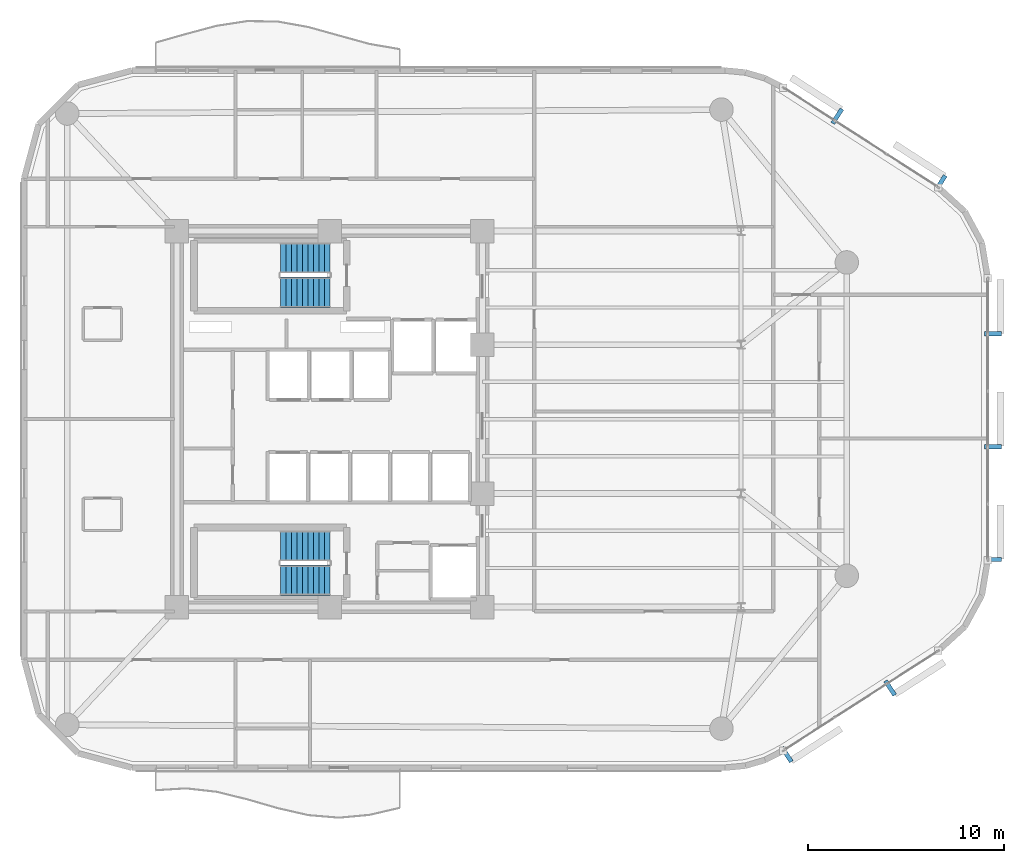
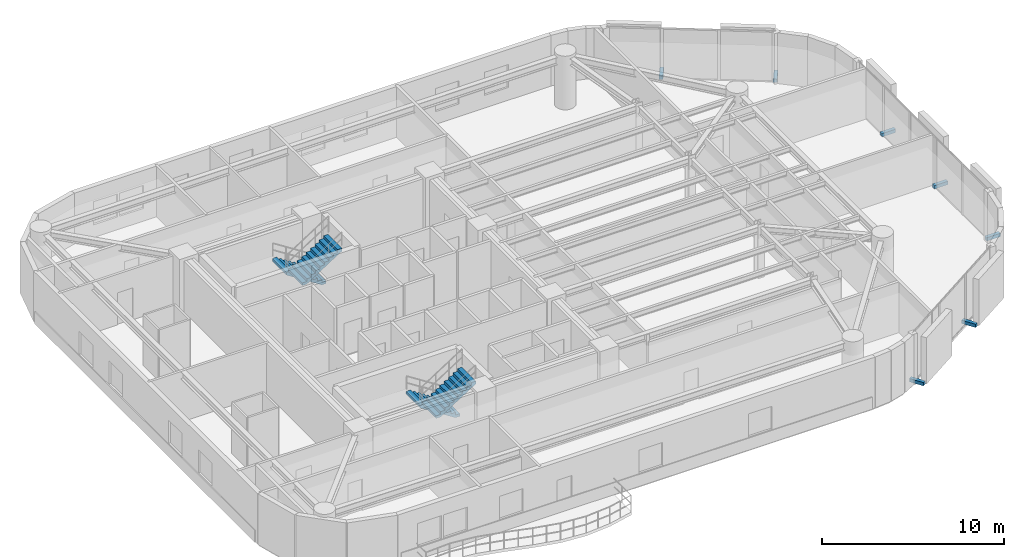
# One storey, part 13 of 15: 7 discrete accessories, 4 stair flights, 2 elements without a shape of their own.
"""IFC4 building model written with IfcOpenShell, lengths in metres."""

from ifc_helpers import new_model, si_unit, direction, frame, origin, origin_2d, place, context, subcontext, project, spatial, polyline, rectangle, outline, extrude, material, type_object, element, aggregate, save


model = new_model("IFC4")

# Units and contexts
model_context = context("Model", 3, precision=1e-05, world=origin(), true_north=direction((0.0, 1.0)))
body_context = subcontext(model_context, "Body", "Model", "MODEL_VIEW")
ifc_project = project(units=[si_unit("LENGTHUNIT", "METRE"), si_unit("AREAUNIT", "SQUARE_METRE"), si_unit("VOLUMEUNIT", "CUBIC_METRE"), si_unit("PLANEANGLEUNIT", "RADIAN"), si_unit("MASSUNIT", "GRAM", prefix="KILO")], contexts=[model_context])

# Site, building, storey
site_placement = place(None, origin())
site = spatial("IfcSite", under=ifc_project, at=site_placement, CompositionType="ELEMENT")
building_placement = place(site_placement, origin())
building = spatial("IfcBuilding", under=site, at=building_placement, Name="An Khanh Terracotta Commons", CompositionType="ELEMENT")
storey_placement = place(building_placement, frame((0.0, 0.0, 169.0)))
storey = spatial("IfcBuildingStorey", under=building, at=storey_placement, Name="L44", CompositionType="ELEMENT", Elevation=169.0)

# Stair, stair flights
ifc_material_1 = material(Name="Precast concrete C40/50", Category="concrete")
stair_type = type_object("IfcStairType", Name="STAIR-CORE-1550", PredefinedType="HALF_TURN_STAIR", material=ifc_material_1)
stair_1_placement = place(storey_placement, origin())
stair_1 = element("IfcStair", 1, at=stair_1_placement, inside=storey, type_object=stair_type, Name="L44 Core Smokeproof Exit Stair ST-01", PredefinedType="HALF_TURN_STAIR")
stair_flight_type = type_object("IfcStairFlightType", Name="FLIGHT-CORE-1550", PredefinedType="STRAIGHT", material=ifc_material_1)
stair_flight_1_placement = place(storey_placement, frame((29.409912109375, 32.22509765625, 0.0), z_axis=(0.0, 0.0, 1.0), x_axis=(-1.0, 0.0, 0.0)))
stair_flight_1 = element("IfcStairFlight", 2, at=stair_flight_1_placement, type_object=stair_flight_type, Name="ST-01 flight 1", NumberOfRisers=10, NumberOfTreads=9, PredefinedType="STRAIGHT", RiserHeight=0.18, TreadLength=0.28, context=body_context, shape_type="SweptSolid", body=[
    extrude(outline(polyline([(0.0, 0.0), (0.0, 0.179931640625), (0.280029296875, 0.179931640625), (0.280029296875, 0.360107421875), (0.56005859375, 0.360107421875), (0.56005859375, 0.5400390625), (0.840087890625, 0.5400390625), (0.840087890625, 0.719970703125), (1.1201171875, 0.719970703125), (1.1201171875, 0.89990234375), (1.39990234375, 0.89990234375), (1.39990234375, 1.080078125), (1.679931640625, 1.080078125), (1.679931640625, 1.260009765625), (1.9599609375, 1.260009765625), (1.9599609375, 1.43994140625), (2.239990234375, 1.43994140625), (2.239990234375, 1.6201171875), (2.52001953125, 1.6201171875), (2.52001953125, 1.800048828125), (2.52001953125, 1.44189453125), (0.277099609375, 0.0), (0.0, 0.0)])), frame((0.0, 0.77490234375, 0.0), z_axis=(0.0, -1.0, 0.0), x_axis=(1.0, 0.0, 0.0)), (0.0, 0.0, 1.0), 1.550048828125),
])
stair_flight_2_placement = place(storey_placement, frame((26.889892578125, 30.47509765625, 1.800048828125), z_axis=(0.0, 0.0, 1.0), x_axis=(1.0, 0.0, 0.0)))
stair_flight_2 = element("IfcStairFlight", 3, at=stair_flight_2_placement, type_object=stair_flight_type, Name="ST-01 flight 2", NumberOfRisers=10, NumberOfTreads=9, PredefinedType="STRAIGHT", RiserHeight=0.18, TreadLength=0.28, context=body_context, shape_type="SweptSolid", body=[
    extrude(outline(polyline([(0.0, 0.0), (0.0, 0.179931640625), (0.280029296875, 0.179931640625), (0.280029296875, 0.360107421875), (0.56005859375, 0.360107421875), (0.56005859375, 0.5400390625), (0.840087890625, 0.5400390625), (0.840087890625, 0.719970703125), (1.1201171875, 0.719970703125), (1.1201171875, 0.89990234375), (1.39990234375, 0.89990234375), (1.39990234375, 1.080078125), (1.679931640625, 1.080078125), (1.679931640625, 1.260009765625), (1.9599609375, 1.260009765625), (1.9599609375, 1.43994140625), (2.239990234375, 1.43994140625), (2.239990234375, 1.6201171875), (2.52001953125, 1.6201171875), (2.52001953125, 1.800048828125), (2.52001953125, 1.44189453125), (0.277099609375, 0.0), (0.0, 0.0)])), frame((0.0, 0.77490234375, 0.0), z_axis=(0.0, -1.0, 0.0), x_axis=(1.0, 0.0, 0.0)), (0.0, 0.0, 1.0), 1.550048828125),
])
aggregate(stair_1, [stair_flight_1, stair_flight_2])

stair_2_placement = place(storey_placement, origin())
stair_2 = element("IfcStair", 4, at=stair_2_placement, inside=storey, type_object=stair_type, Name="L44 Core Smokeproof Exit Stair ST-02", PredefinedType="HALF_TURN_STAIR")
stair_flight_3_placement = place(storey_placement, frame((29.409912109375, 17.52490234375, 0.0), z_axis=(0.0, 0.0, 1.0), x_axis=(-1.0, 0.0, 0.0)))
stair_flight_3 = element("IfcStairFlight", 5, at=stair_flight_3_placement, type_object=stair_flight_type, Name="ST-02 flight 1", NumberOfRisers=10, NumberOfTreads=9, PredefinedType="STRAIGHT", RiserHeight=0.18, TreadLength=0.28, context=body_context, shape_type="SweptSolid", body=[
    extrude(outline(polyline([(0.0, 0.0), (0.0, 0.179931640625), (0.280029296875, 0.179931640625), (0.280029296875, 0.360107421875), (0.56005859375, 0.360107421875), (0.56005859375, 0.5400390625), (0.840087890625, 0.5400390625), (0.840087890625, 0.719970703125), (1.1201171875, 0.719970703125), (1.1201171875, 0.89990234375), (1.39990234375, 0.89990234375), (1.39990234375, 1.080078125), (1.679931640625, 1.080078125), (1.679931640625, 1.260009765625), (1.9599609375, 1.260009765625), (1.9599609375, 1.43994140625), (2.239990234375, 1.43994140625), (2.239990234375, 1.6201171875), (2.52001953125, 1.6201171875), (2.52001953125, 1.800048828125), (2.52001953125, 1.44189453125), (0.277099609375, 0.0), (0.0, 0.0)])), frame((0.0, 0.77490234375, 0.0), z_axis=(0.0, -1.0, 0.0), x_axis=(1.0, 0.0, 0.0)), (0.0, 0.0, 1.0), 1.550048828125),
])
stair_flight_4_placement = place(storey_placement, frame((26.889892578125, 15.77490234375, 1.800048828125), z_axis=(0.0, 0.0, 1.0), x_axis=(1.0, 0.0, 0.0)))
stair_flight_4 = element("IfcStairFlight", 6, at=stair_flight_4_placement, type_object=stair_flight_type, Name="ST-02 flight 2", NumberOfRisers=10, NumberOfTreads=9, PredefinedType="STRAIGHT", RiserHeight=0.18, TreadLength=0.28, context=body_context, shape_type="SweptSolid", body=[
    extrude(outline(polyline([(0.0, 0.0), (0.0, 0.179931640625), (0.280029296875, 0.179931640625), (0.280029296875, 0.360107421875), (0.56005859375, 0.360107421875), (0.56005859375, 0.5400390625), (0.840087890625, 0.5400390625), (0.840087890625, 0.719970703125), (1.1201171875, 0.719970703125), (1.1201171875, 0.89990234375), (1.39990234375, 0.89990234375), (1.39990234375, 1.080078125), (1.679931640625, 1.080078125), (1.679931640625, 1.260009765625), (1.9599609375, 1.260009765625), (1.9599609375, 1.43994140625), (2.239990234375, 1.43994140625), (2.239990234375, 1.6201171875), (2.52001953125, 1.6201171875), (2.52001953125, 1.800048828125), (2.52001953125, 1.44189453125), (0.277099609375, 0.0), (0.0, 0.0)])), frame((0.0, 0.77490234375, 0.0), z_axis=(0.0, -1.0, 0.0), x_axis=(1.0, 0.0, 0.0)), (0.0, 0.0, 1.0), 1.550048828125),
])
aggregate(stair_2, [stair_flight_3, stair_flight_4])

# Discrete accessories
ifc_material_2 = material(Name="Stainless Steel Grade 316L", Category="steel")
discrete_accessory_type = type_object("IfcDiscreteAccessoryType", Name="Stainless Outrigger Facade Bracket", PredefinedType="BRACKET", material=ifc_material_2)
for number, where, z_axis, x_axis, name in (
    (7, (52.73291015625, 6.8720703125, 0.06982421875), (0.0, 0.0, 1.0), (0.840702081986, 0.541497931062, 0.0), "L44 Terracotta Screen Outrigger Bracket 1"),
    (8, (58.011962890625, 10.27197265625, 0.06982421875), (0.0, 0.0, 1.0), (0.840702081986, 0.541497931062, 0.0), "L44 Terracotta Screen Outrigger Bracket 3"),
    (9, (63.264892578125, 16.8349609375, 0.06982421875), (0.0, 0.0, 1.0), (0.0, 1.0, 0.0), "L44 Terracotta Screen Outrigger Bracket 1"),
    (10, (63.264892578125, 22.594970703125, 0.06982421875), (0.0, 0.0, 1.0), (0.0, 1.0, 0.0), "L44 Terracotta Screen Outrigger Bracket 3"),
    (11, (63.264892578125, 28.35498046875, 0.06982421875), (0.0, 0.0, 1.0), (0.0, 1.0, 0.0), "L44 Terracotta Screen Outrigger Bracket 5"),
    (12, (60.592041015625, 36.06591796875, 0.06982421875), (0.0, 0.0, 1.0), (-0.840702081986, 0.541497931062, 0.0), "L44 Terracotta Screen Outrigger Bracket 1"),
    (13, (55.31298828125, 39.466064453125, 0.06982421875), (0.0, 0.0, 1.0), (-0.840702081986, 0.541497931062, 0.0), "L44 Terracotta Screen Outrigger Bracket 3"),
):
    element("IfcDiscreteAccessory", number, at=place(storey_placement, frame(where, z_axis=z_axis, x_axis=x_axis)), inside=storey, type_object=discrete_accessory_type, Name=name, PredefinedType="BRACKET", context=body_context, shape_type="SweptSolid", body=[
        extrude(rectangle(XDim=0.219970703125, YDim=0.8701171875, at=origin_2d()), origin(), (0.0, 0.0, 1.0), 0.219970703125),
    ])

save(model, "model.ifc")
